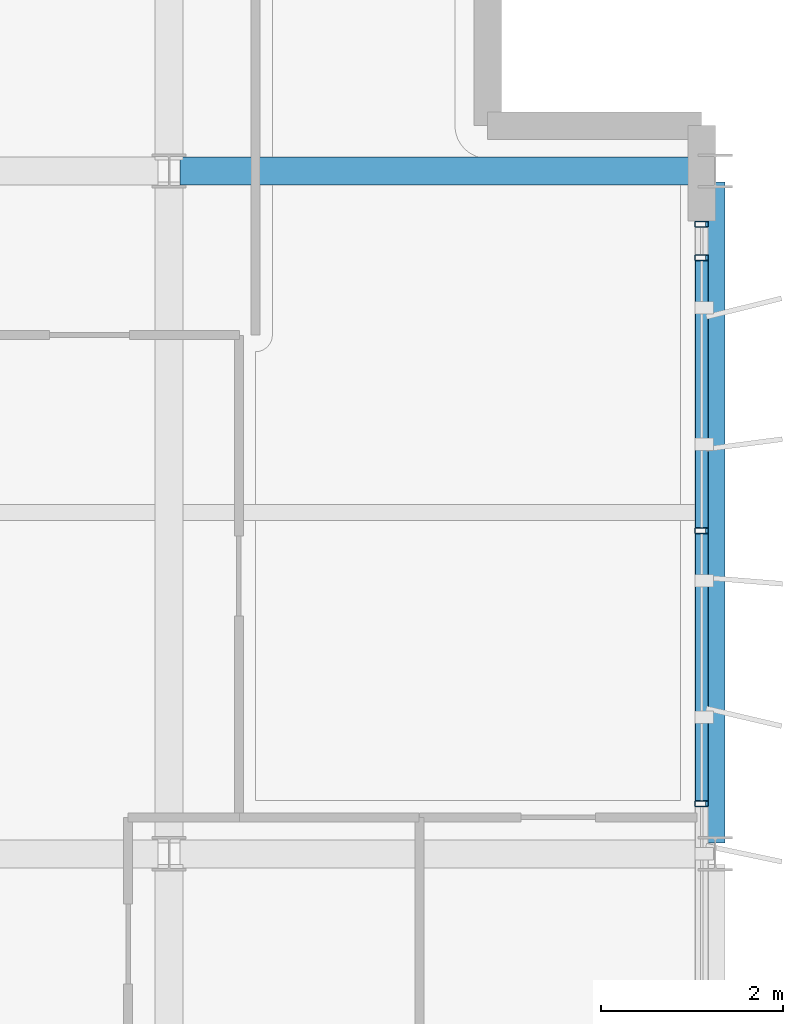
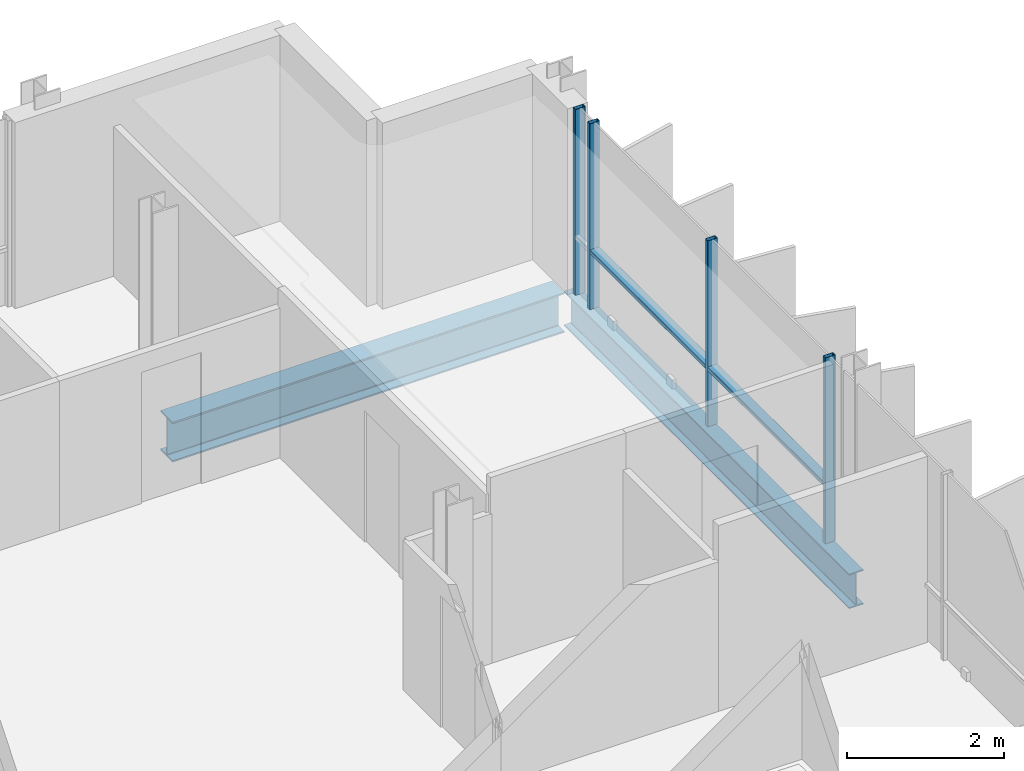
# One storey, part 18 of 35: 6 members, 2 beams, 1 element without a shape of its own.
"""IFC4 building model written with IfcOpenShell, lengths in metres."""

from ifc_helpers import new_model, si_unit, direction, frame, origin, origin_2d, place, context, subcontext, project, spatial, hollow_rectangle, i_section, extrude, material, layer, layer_set, material_profile, profile_set, type_object, element, aggregate, save


model = new_model("IFC4")

# Units and contexts
model_context = context("Model", 3, precision=1e-05, world=origin(), true_north=direction((0.0, 1.0)))
body_context = subcontext(model_context, "Body", "Model", "MODEL_VIEW")
ifc_project = project(units=[si_unit("LENGTHUNIT", "METRE"), si_unit("AREAUNIT", "SQUARE_METRE"), si_unit("VOLUMEUNIT", "CUBIC_METRE"), si_unit("PLANEANGLEUNIT", "RADIAN"), si_unit("MASSUNIT", "GRAM", prefix="KILO")], contexts=[model_context])

# Site, building, storey
site_placement = place(None, origin())
site = spatial("IfcSite", under=ifc_project, at=site_placement, CompositionType="ELEMENT")
building_placement = place(site_placement, origin())
building = spatial("IfcBuilding", under=site, at=building_placement, Name="Brevholm Reach", CompositionType="ELEMENT")
storey_placement = place(building_placement, frame((0.0, 0.0, 218.0)))
storey = spatial("IfcBuildingStorey", under=building, at=storey_placement, Name="L66", CompositionType="ELEMENT", Elevation=218.0)

# Beams
ifc_material_1 = material(Name="Structural Steel S355J2", Category="steel")
ifc_material_profile_1 = material_profile(ifc_material_1, i_section(OverallWidth=0.210693359375, OverallDepth=0.53955078125, WebThickness=0.01171875, FlangeThickness=0.018798828125, FilletRadius=0.0126953125, at=origin_2d()), Name="UKB 533x210x109")
ifc_profile_set_1 = profile_set([ifc_material_profile_1], Name="Structural Steel S355J2")
beam_type_1 = type_object("IfcBeamType", Name="BM-SP539", PredefinedType="SPANDREL", material=ifc_profile_set_1)
beam_1_placement = place(storey_placement, frame((60.0, 16.1201171875, -0.539794921875), z_axis=(0.0, 1.0, 0.0), x_axis=(-1.0, 0.0, 0.0)))
element("IfcBeam", 1, at=beam_1_placement, inside=storey, type_object=beam_type_1, Name="L66 SP-01B Framing Beam", PredefinedType="SPANDREL", context=body_context, shape_type="SweptSolid", body=[
    extrude(i_section(OverallWidth=0.210693359375, OverallDepth=0.53955078125, WebThickness=0.01171875, FlangeThickness=0.018798828125, FilletRadius=0.0126953125, at=origin_2d()), origin(), (0.0, 0.0, 1.0), 7.259765625),
])
ifc_material_2 = material(Name="Structural Steel S355J2", Category="steel")
ifc_material_profile_2 = material_profile(ifc_material_2, i_section(OverallWidth=0.30712890625, OverallDepth=0.6201171875, WebThickness=0.01416015625, FlangeThickness=0.023681640625, FilletRadius=0.0166015625, at=origin_2d()), Name="UKB 610x305x179")
ifc_profile_set_2 = profile_set([ifc_material_profile_2], Name="Structural Steel S355J2")
beam_type_2 = type_object("IfcBeamType", Name="BM-UKB610H", PredefinedType="USERDEFINED", material=ifc_profile_set_2)
beam_2_placement = place(storey_placement, frame((54.1201171875, 23.5, -0.580078125), z_axis=(1.0, 0.0, 0.0), x_axis=(0.0, 1.0, 0.0)))
element("IfcBeam", 2, at=beam_2_placement, inside=storey, type_object=beam_type_2, Name="L66 G-06 Framing Beam", ObjectType="GIRDER", PredefinedType="USERDEFINED", context=body_context, shape_type="SweptSolid", body=[
    extrude(i_section(OverallWidth=0.30712890625, OverallDepth=0.6201171875, WebThickness=0.01416015625, FlangeThickness=0.023681640625, FilletRadius=0.0166015625, at=origin_2d()), origin(), (0.0, 0.0, 1.0), 5.759765625),
])

# Curtain wall, members
ifc_material_3 = material(Name="Dark Anodised Aluminium 6063-T6 and Solar-Control Glass", Category="aluminium")
ifc_layer = layer(ifc_material_3, 0.14990234375)
ifc_layer_set = layer_set([ifc_layer], Name="Dark Anodised Aluminium 6063-T6 and Solar-Control Glass")
curtain_wall_type = type_object("IfcCurtainWallType", Name="CW-01", PredefinedType="NOTDEFINED", material=ifc_layer_set)
curtain_wall_placement = place(storey_placement, origin())
curtain_wall = element("IfcCurtainWall", 3, at=curtain_wall_placement, inside=storey, type_object=curtain_wall_type, Name="L66 Curtain Wall CW-01", PredefinedType="NOTDEFINED")
ifc_material_4 = material(Name="Dark Anodised Aluminium 6063-T6", Category="aluminium")
ifc_material_profile_3 = material_profile(ifc_material_4, hollow_rectangle(XDim=0.06494140625, YDim=0.14990234375, WallThickness=0.0048828125, InnerFilletRadius=0.0048828125, OuterFilletRadius=0.010009765625, at=origin_2d()), Name="RHS 150x65x5")
ifc_profile_set_3 = profile_set([ifc_material_profile_3], Name="Dark Anodised Aluminium 6063-T6")
member_type_1 = type_object("IfcMemberType", Name="CWM-150", PredefinedType="MULLION", material=ifc_profile_set_3)
member_1_placement = place(storey_placement, frame((59.85009765625, 16.550048828125, 0.0), z_axis=(0.0, 0.0, 1.0), x_axis=(0.0, 1.0, 0.0)))
member_1 = element("IfcMember", 4, at=member_1_placement, type_object=member_type_1, Name="CM-150 Mullion 3", PredefinedType="MULLION", context=body_context, shape_type="SweptSolid", body=[
    extrude(hollow_rectangle(XDim=0.06494140625, YDim=0.14990234375, WallThickness=0.0048828125, InnerFilletRadius=0.0048828125, OuterFilletRadius=0.010009765625, at=origin_2d()), origin(), (0.0, 0.0, 1.0), 2.889892578125),
])
member_2_placement = place(storey_placement, frame((59.85009765625, 19.550048828125, 0.0), z_axis=(0.0, 0.0, 1.0), x_axis=(0.0, 1.0, 0.0)))
member_2 = element("IfcMember", 5, at=member_2_placement, type_object=member_type_1, Name="CM-150 Mullion 4", PredefinedType="MULLION", context=body_context, shape_type="SweptSolid", body=[
    extrude(hollow_rectangle(XDim=0.06494140625, YDim=0.14990234375, WallThickness=0.0048828125, InnerFilletRadius=0.0048828125, OuterFilletRadius=0.010009765625, at=origin_2d()), origin(), (0.0, 0.0, 1.0), 2.889892578125),
])
member_3_placement = place(storey_placement, frame((59.85009765625, 22.550048828125, 0.0), z_axis=(0.0, 0.0, 1.0), x_axis=(0.0, 1.0, 0.0)))
member_3 = element("IfcMember", 6, at=member_3_placement, type_object=member_type_1, Name="CM-150 Mullion 5", PredefinedType="MULLION", context=body_context, shape_type="SweptSolid", body=[
    extrude(hollow_rectangle(XDim=0.06494140625, YDim=0.14990234375, WallThickness=0.0048828125, InnerFilletRadius=0.0048828125, OuterFilletRadius=0.010009765625, at=origin_2d()), origin(), (0.0, 0.0, 1.0), 2.889892578125),
])
member_4_placement = place(storey_placement, frame((59.85009765625, 22.91748046875, 0.0), z_axis=(0.0, 0.0, 1.0), x_axis=(0.0, 1.0, 0.0)))
member_4 = element("IfcMember", 7, at=member_4_placement, type_object=member_type_1, Name="CM-150 Mullion 6", PredefinedType="MULLION", context=body_context, shape_type="SweptSolid", body=[
    extrude(hollow_rectangle(XDim=0.06494140625, YDim=0.14990234375, WallThickness=0.0048828125, InnerFilletRadius=0.0048828125, OuterFilletRadius=0.010009765625, at=origin_2d()), origin(), (0.0, 0.0, 1.0), 2.889892578125),
])
ifc_material_5 = material(Name="Dark Anodised Aluminium 6063-T6", Category="aluminium")
ifc_material_profile_4 = material_profile(ifc_material_5, hollow_rectangle(XDim=0.06494140625, YDim=0.14990234375, WallThickness=0.0048828125, InnerFilletRadius=0.0048828125, OuterFilletRadius=0.010009765625, at=origin_2d()), Name="RHS 150x65x5")
ifc_profile_set_4 = profile_set([ifc_material_profile_4], Name="Dark Anodised Aluminium 6063-T6")
member_type_2 = type_object("IfcMemberType", Name="CWT-150", PredefinedType="NOTDEFINED", material=ifc_profile_set_4)
member_5_placement = place(storey_placement, frame((59.85009765625, 16.58251953125, 0.89990234375), z_axis=(0.0, 1.0, 0.0), x_axis=(0.0, 0.0, 1.0)))
member_5 = element("IfcMember", 8, at=member_5_placement, type_object=member_type_2, Name="CT-150 Transom 3.1", ObjectType="TRANSOM", PredefinedType="USERDEFINED", context=body_context, shape_type="SweptSolid", body=[
    extrude(hollow_rectangle(XDim=0.06494140625, YDim=0.14990234375, WallThickness=0.0048828125, InnerFilletRadius=0.0048828125, OuterFilletRadius=0.010009765625, at=origin_2d()), origin(), (0.0, 0.0, 1.0), 2.93505859375),
])
member_6_placement = place(storey_placement, frame((59.85009765625, 19.58251953125, 0.89990234375), z_axis=(0.0, 1.0, 0.0), x_axis=(0.0, 0.0, 1.0)))
member_6 = element("IfcMember", 9, at=member_6_placement, type_object=member_type_2, Name="CT-150 Transom 4.1", ObjectType="TRANSOM", PredefinedType="USERDEFINED", context=body_context, shape_type="SweptSolid", body=[
    extrude(hollow_rectangle(XDim=0.06494140625, YDim=0.14990234375, WallThickness=0.0048828125, InnerFilletRadius=0.0048828125, OuterFilletRadius=0.010009765625, at=origin_2d()), origin(), (0.0, 0.0, 1.0), 2.93505859375),
])
aggregate(curtain_wall, [member_1, member_2, member_3, member_4, member_5, member_6])

save(model, "model.ifc")
